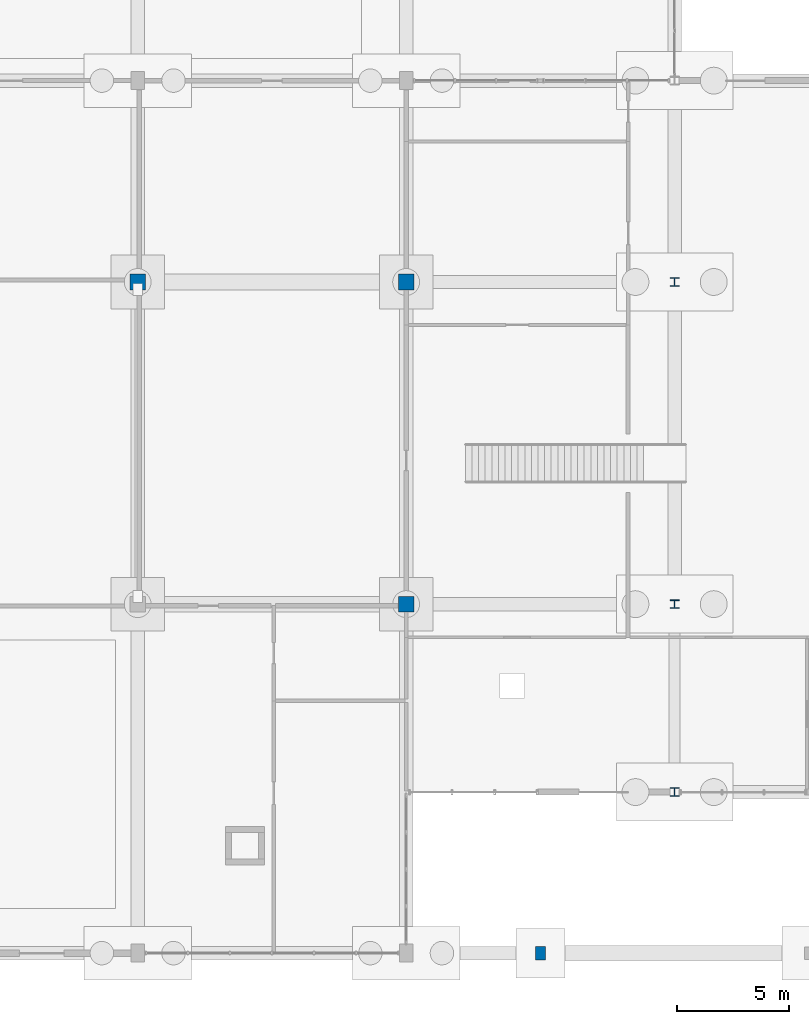
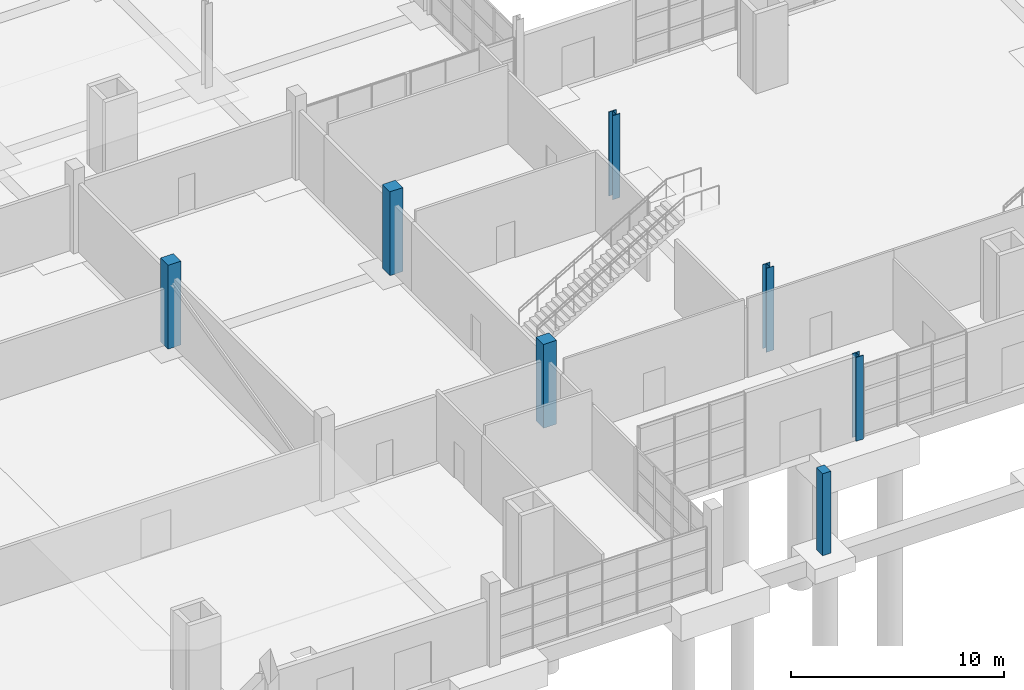
# One storey, part 7 of 82: 7 columns.
"""IFC4 building model written with IfcOpenShell, lengths in metres."""

from ifc_helpers import new_model, si_unit, direction, frame, origin, origin_2d, place, context, subcontext, project, spatial, rectangle, i_section, extrude, material, material_profile, profile_set, type_object, element, save


model = new_model("IFC4")

# Units and contexts
model_context = context("Model", 3, precision=1e-05, world=origin(), true_north=direction((0.0, 1.0)))
body_context = subcontext(model_context, "Body", "Model", "MODEL_VIEW")
ifc_project = project(units=[si_unit("LENGTHUNIT", "METRE"), si_unit("AREAUNIT", "SQUARE_METRE"), si_unit("VOLUMEUNIT", "CUBIC_METRE"), si_unit("PLANEANGLEUNIT", "RADIAN"), si_unit("MASSUNIT", "GRAM", prefix="KILO")], contexts=[model_context])

# Site, building, storey
site_placement = place(None, origin())
site = spatial("IfcSite", under=ifc_project, at=site_placement, CompositionType="ELEMENT")
building_placement = place(site_placement, origin())
building = spatial("IfcBuilding", under=site, at=building_placement, Name="Kelmvaro Bay Concert Hall", CompositionType="ELEMENT")
storey_placement = place(building_placement, origin())
storey = spatial("IfcBuildingStorey", under=building, at=storey_placement, Name="L00", CompositionType="ELEMENT", Elevation=0.0)

# Columns
ifc_material_1 = material(Name="Concrete C40/50", Category="concrete")
ifc_material_profile_1 = material_profile(ifc_material_1, rectangle(XDim=0.449951171875, YDim=0.60009765625, at=origin_2d()), Name="RC-PIL-600X450")
ifc_profile_set_1 = profile_set([ifc_material_profile_1], Name="Concrete C40/50")
column_type_1 = type_object("IfcColumnType", Name="Colonnade Pier Pilaster RC600x450", PredefinedType="PILASTER", material=ifc_profile_set_1)
column_placement = place(storey_placement, frame((54.0, 0.0, 0.0), z_axis=(0.0, 0.0, 1.0), x_axis=(1.0, 0.0, 0.0)))
element("IfcColumn", 1, at=column_placement, inside=storey, type_object=column_type_1, Name="L00 Pilaster COL-RW-54", PredefinedType="PILASTER", context=body_context, shape_type="SweptSolid", body=[
    extrude(rectangle(XDim=0.449951171875, YDim=0.60009765625, at=origin_2d()), origin(), (0.0, 0.0, 1.0), 4.68994140625),
])
ifc_material_2 = material(Name="Steel ASTM A992 Grade 50", Category="steel")
ifc_material_profile_2 = material_profile(ifc_material_2, i_section(OverallWidth=0.39892578125, OverallDepth=0.385986328125, WebThickness=0.02099609375, FlangeThickness=0.033203125, at=origin_2d()), Name="W14X176")
ifc_profile_set_2 = profile_set([ifc_material_profile_2], Name="Steel ASTM A992 Grade 50")
column_type_2 = type_object("IfcColumnType", Name="Foyer Heavy Column W14x176", PredefinedType="COLUMN", material=ifc_profile_set_2)
for number, where, z_axis, x_axis, name in (
    (2, (60.0, 7.199951171875, 0.0), (0.0, 0.0, 1.0), (1.0, 0.0, 0.0), "L00 Column V5S-60-72"),
    (3, (60.0, 15.60009765625, 0.0), (0.0, 0.0, 1.0), (1.0, 0.0, 0.0), "L00 Column V5S-60-156"),
    (4, (60.0, 30.0, 0.0), (0.0, 0.0, 1.0), (1.0, 0.0, 0.0), "L00 Column V5S-60-300"),
):
    element("IfcColumn", number, at=place(storey_placement, frame(where, z_axis=z_axis, x_axis=x_axis)), inside=storey, type_object=column_type_2, Name=name, PredefinedType="COLUMN", context=body_context, shape_type="SweptSolid", body=[
        extrude(i_section(OverallWidth=0.39892578125, OverallDepth=0.385986328125, WebThickness=0.02099609375, FlangeThickness=0.033203125, at=origin_2d()), origin(), (0.0, 0.0, 1.0), 4.800048828125),
    ])
ifc_material_3 = material(Name="Concrete C40/50", Category="concrete")
ifc_material_profile_3 = material_profile(ifc_material_3, rectangle(XDim=0.699951171875, YDim=0.699951171875, at=origin_2d()), Name="RC-COL-700X700")
ifc_profile_set_3 = profile_set([ifc_material_profile_3], Name="Concrete C40/50")
column_type_3 = type_object("IfcColumnType", Name="Pavilion Mid Column RC700x700", PredefinedType="COLUMN", material=ifc_profile_set_3)
for number, where, z_axis, x_axis, name in (
    (5, (36.0, 30.0, 0.0), (0.0, 0.0, 1.0), (1.0, 0.0, 0.0), "L00 Column V3G-36-300"),
    (6, (48.0, 15.60009765625, 0.0), (0.0, 0.0, 1.0), (1.0, 0.0, 0.0), "L00 Column V3G-48-156"),
    (7, (48.0, 30.0, 0.0), (0.0, 0.0, 1.0), (1.0, 0.0, 0.0), "L00 Column V3G-48-300"),
):
    element("IfcColumn", number, at=place(storey_placement, frame(where, z_axis=z_axis, x_axis=x_axis)), inside=storey, type_object=column_type_3, Name=name, PredefinedType="COLUMN", context=body_context, shape_type="SweptSolid", body=[
        extrude(rectangle(XDim=0.699951171875, YDim=0.699951171875, at=origin_2d()), origin(), (0.0, 0.0, 1.0), 4.800048828125),
    ])

save(model, "model.ifc")
